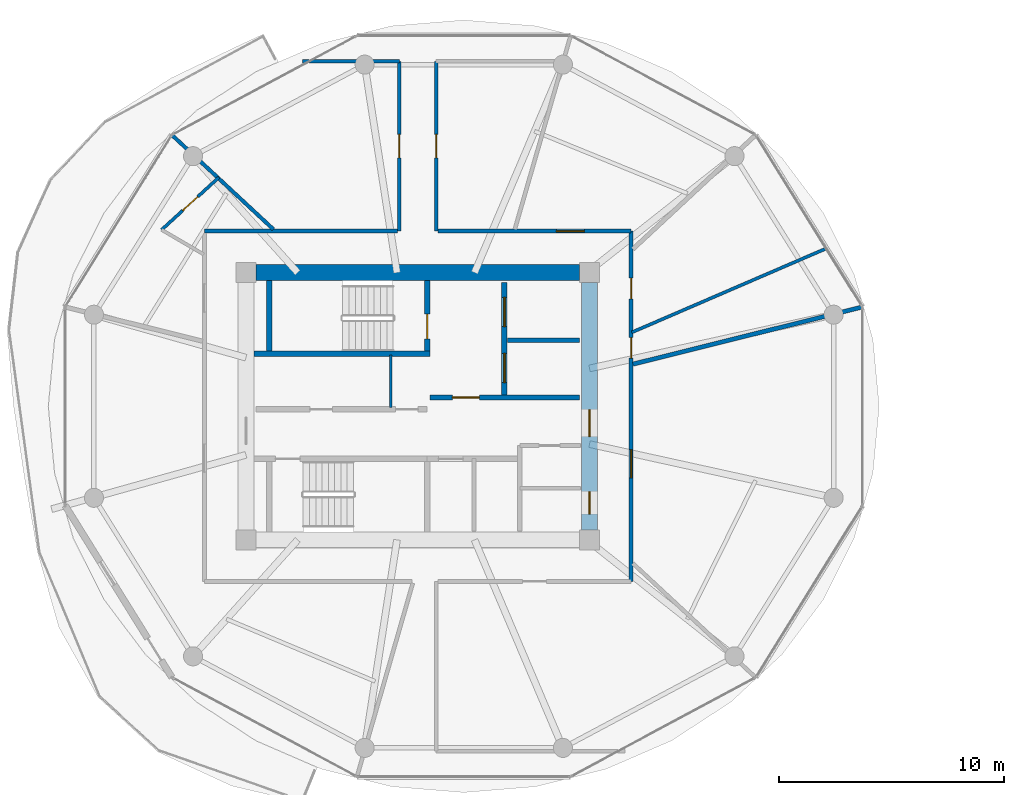
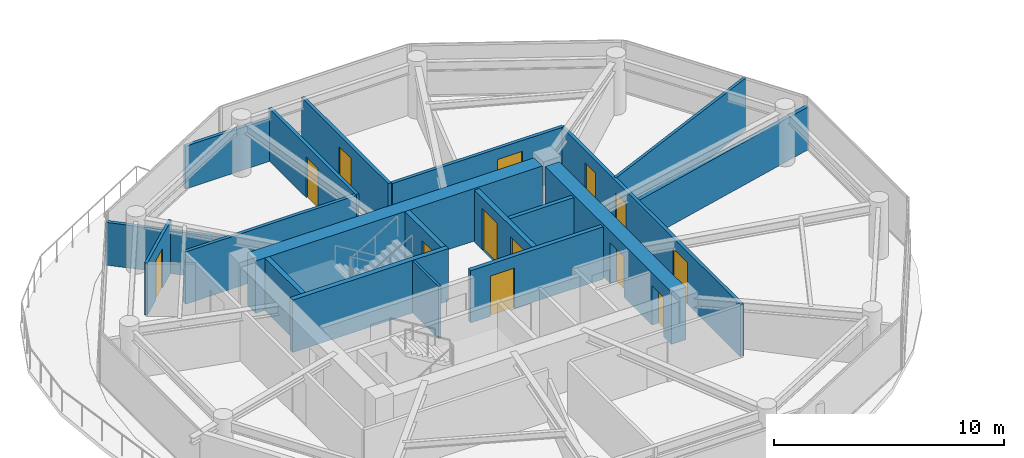
# One storey, part 14 of 23: 19 walls, 13 doors, 13 openings.
"""IFC4 building model written with IfcOpenShell, lengths in metres."""

from ifc_helpers import new_model, si_unit, direction, frame, frame_2d, origin, place, context, subcontext, project, spatial, rectangle, extrude, source, transform, mapped, material, layer, layer_set, type_object, type_shapes, element, fill, save


model = new_model("IFC4")

# Units and contexts
model_context = context("Model", 3, precision=1e-05, world=origin(), true_north=direction((0.0, 1.0)))
body_context = subcontext(model_context, "Body", "Model", "MODEL_VIEW")
ifc_project = project(units=[si_unit("LENGTHUNIT", "METRE"), si_unit("AREAUNIT", "SQUARE_METRE"), si_unit("VOLUMEUNIT", "CUBIC_METRE"), si_unit("PLANEANGLEUNIT", "RADIAN"), si_unit("MASSUNIT", "GRAM", prefix="KILO")], contexts=[model_context])

# Site, building, storey
site_placement = place(None, origin())
site = spatial("IfcSite", under=ifc_project, at=site_placement, CompositionType="ELEMENT")
building_placement = place(site_placement, origin())
building = spatial("IfcBuilding", under=site, at=building_placement, Name="Norrkilde Senior Care Towers", CompositionType="ELEMENT")
storey_placement = place(building_placement, frame((0.0, 0.0, 93.199951171875)))
storey = spatial("IfcBuildingStorey", under=building, at=storey_placement, Name="L28", CompositionType="ELEMENT", Elevation=93.199951171875)

# Wall
ifc_material_1 = material(Name="Concrete C60/75", Category="concrete")
ifc_layer_1 = layer(ifc_material_1, 0.719970703125)
ifc_layer_set_1 = layer_set([ifc_layer_1], Name="Concrete C60/75")
wall_type_1 = type_object("IfcWallType", Name="Core Shear Wall Z2 720", PredefinedType="SHEAR", material=ifc_layer_set_1)
shared_shape_1 = source(origin(), body_context, "Body", "SweptSolid", [
    extrude(rectangle(XDim=14.39990234375, YDim=0.719970703125, at=frame_2d((7.199951171875, 0.0))), origin(), (0.0, 0.0, 1.0), 2.7900390625),
])
wall_1_placement = place(storey_placement, frame((-35.199951171875, 5.949951171875, 0.0), z_axis=(0.0, 0.0, 1.0), x_axis=(1.0, 0.0, 0.0)))
element("IfcWall", 1, at=wall_1_placement, inside=storey, type_object=wall_type_1, Name="L28 Core W North Shear Wall", PredefinedType="SHEAR", context=body_context, shape_type="MappedRepresentation", body=[
    mapped(shared_shape_1, transform((0.0, 0.0, 0.0), x_axis=(1.0, 0.0, 0.0), y_axis=(0.0, 1.0, 0.0), z_axis=(0.0, 0.0, 1.0), scale=1.0)),
])

# Wall, openings, doors
shared_shape_2 = source(origin(), body_context, "Body", "SweptSolid", [
    extrude(rectangle(XDim=11.0, YDim=0.719970703125, at=frame_2d((5.5, 0.0))), origin(), (0.0, 0.0, 1.0), 2.7900390625),
])
type_shapes(wall_type_1, [shared_shape_1, shared_shape_2])
wall_2_placement = place(storey_placement, frame((-20.35009765625, 5.5, 0.0), z_axis=(0.0, 0.0, 1.0), x_axis=(0.0, -1.0, 0.0)))
wall_2 = element("IfcWall", 2, at=wall_2_placement, inside=storey, type_object=wall_type_1, Name="L28 Core W East Shear Wall", PredefinedType="SHEAR", context=body_context, shape_type="MappedRepresentation", body=[
    mapped(shared_shape_2, transform((0.0, 0.0, 0.0), x_axis=(1.0, 0.0, 0.0), y_axis=(0.0, 1.0, 0.0), z_axis=(0.0, 0.0, 1.0), scale=1.0)),
])
opening_1_placement = place(wall_2_placement, frame((5.64990234375, 0.0, 0.0)))
opening_1 = element("IfcOpeningElement", 3, at=opening_1_placement, cuts=wall_2, Name="Opening D-04", PredefinedType="OPENING", context=body_context, shape_type="SweptSolid", body=[
    extrude(rectangle(XDim=1.199951171875, YDim=2.14990234375, at=frame_2d((0.60009765625, 1.074951171875))), frame((0.0, 0.369873046875, 0.0), z_axis=(0.0, -1.0, 0.0), x_axis=(1.0, 0.0, 0.0)), (0.0, 0.0, 1.0), 0.739990234375),
])
opening_2_placement = place(wall_2_placement, frame((9.300048828125, 0.0, 0.0)))
opening_2 = element("IfcOpeningElement", 4, at=opening_2_placement, cuts=wall_2, Name="Opening D-10", PredefinedType="OPENING", context=body_context, shape_type="SweptSolid", body=[
    extrude(rectangle(XDim=1.0, YDim=2.10009765625, at=frame_2d((0.5, 1.050048828125))), frame((0.0, 0.369873046875, 0.0), z_axis=(0.0, -1.0, 0.0), x_axis=(1.0, 0.0, 0.0)), (0.0, 0.0, 1.0), 0.739990234375),
])
ifc_material_2 = material(Name="Galvanised Painted Steel", Category="steel")
door_type_1 = type_object("IfcDoorType", Name="Firefighting Lobby Fire Door 1200x2150", OperationType="NOTDEFINED", PredefinedType="DOOR", material=ifc_material_2)
shared_shape_3 = source(origin(), body_context, "Body", "SweptSolid", [
    extrude(rectangle(XDim=1.199951171875, YDim=2.14990234375, at=frame_2d((0.60009765625, 1.074951171875))), frame((0.0, 0.02490234375, 0.0), z_axis=(0.0, -1.0, 0.0), x_axis=(1.0, 0.0, 0.0)), (0.0, 0.0, 1.0), 0.050048828125),
])
type_shapes(door_type_1, [shared_shape_3])
door_1_placement = place(opening_1_placement, frame((1.199951171875, 0.0, 0.0), z_axis=(0.0, 0.0, 1.0), x_axis=(-1.0, 0.0, 0.0)))
door_1 = element("IfcDoor", 5, at=door_1_placement, inside=storey, type_object=door_type_1, Name="L28 Core W East Portal Door", OperationType="SINGLE_SWING_RIGHT", OverallHeight=2.14990234375, OverallWidth=1.199951171875, PredefinedType="DOOR", context=body_context, shape_type="MappedRepresentation", body=[
    mapped(shared_shape_3, transform((0.0, 0.0, 0.0), x_axis=(1.0, 0.0, 0.0), y_axis=(0.0, 1.0, 0.0), z_axis=(0.0, 0.0, 1.0), scale=1.0)),
])
fill(opening_1, door_1)
door_type_2 = type_object("IfcDoorType", Name="Plant and Riser Rated Door 1000x2100", OperationType="NOTDEFINED", PredefinedType="DOOR", material=ifc_material_2)
shared_shape_4 = source(origin(), body_context, "Body", "SweptSolid", [
    extrude(rectangle(XDim=1.0, YDim=2.10009765625, at=frame_2d((0.5, 1.050048828125))), frame((0.0, 0.02490234375, 0.0), z_axis=(0.0, -1.0, 0.0), x_axis=(1.0, 0.0, 0.0)), (0.0, 0.0, 1.0), 0.050048828125),
])
type_shapes(door_type_2, [shared_shape_4])
door_2_placement = place(opening_2_placement, frame((1.0, 0.0, 0.0), z_axis=(0.0, 0.0, 1.0), x_axis=(-1.0, 0.0, 0.0)))
door_2 = element("IfcDoor", 6, at=door_2_placement, inside=storey, type_object=door_type_2, Name="L28 Ventilation Riser W Door", OperationType="SINGLE_SWING_RIGHT", OverallHeight=2.10009765625, OverallWidth=1.0, PredefinedType="DOOR", context=body_context, shape_type="MappedRepresentation", body=[
    mapped(shared_shape_4, transform((0.0, 0.0, 0.0), x_axis=(1.0, 0.0, 0.0), y_axis=(0.0, 1.0, 0.0), z_axis=(0.0, 0.0, 1.0), scale=1.0)),
])
fill(opening_2, door_2)

ifc_material_3 = material(Name="Concrete C45/55", Category="concrete")
ifc_layer_2 = layer(ifc_material_3, 0.239990234375)
ifc_layer_set_2 = layer_set([ifc_layer_2], Name="Concrete C45/55")
wall_type_2 = type_object("IfcWallType", Name="Lift and Plant Rated Enclosure Partition 240", PredefinedType="PARTITIONING", material=ifc_layer_set_2)
shared_shape_5 = source(origin(), body_context, "Body", "SweptSolid", [
    extrude(rectangle(XDim=5.0, YDim=0.239990234375, at=frame_2d((2.5, 0.0))), origin(), (0.0, 0.0, 1.0), 2.775146484375),
])
type_shapes(wall_type_2, [shared_shape_5])
wall_3_placement = place(storey_placement, frame((-24.139892578125, 0.5, 0.0), z_axis=(0.0, 0.0, 1.0), x_axis=(0.0, 1.0, 0.0)))
wall_3 = element("IfcWall", 7, at=wall_3_placement, inside=storey, type_object=wall_type_2, Name="WL-INT-L28-W-FFLE", PredefinedType="PARTITIONING", context=body_context, shape_type="MappedRepresentation", body=[
    mapped(shared_shape_5, transform((0.0, 0.0, 0.0), x_axis=(1.0, 0.0, 0.0), y_axis=(0.0, 1.0, 0.0), z_axis=(0.0, 0.0, 1.0), scale=1.0)),
])
opening_3_placement = place(wall_3_placement, frame((3.050048828125, 0.0, 0.0)))
opening_3 = element("IfcOpeningElement", 8, at=opening_3_placement, cuts=wall_3, Name="Opening LD-02", PredefinedType="OPENING", context=body_context, shape_type="SweptSolid", body=[
    extrude(rectangle(XDim=1.300048828125, YDim=2.199951171875, at=frame_2d((0.64990234375, 1.10009765625))), frame((0.0, 0.1298828125, 0.0), z_axis=(0.0, -1.0, 0.0), x_axis=(1.0, 0.0, 0.0)), (0.0, 0.0, 1.0), 0.260009765625),
])
opening_4_placement = place(wall_3_placement, frame((0.550048828125, 0.0, 0.0)))
opening_4 = element("IfcOpeningElement", 9, at=opening_4_placement, cuts=wall_3, Name="Opening LD-02", PredefinedType="OPENING", context=body_context, shape_type="SweptSolid", body=[
    extrude(rectangle(XDim=1.300048828125, YDim=2.199951171875, at=frame_2d((0.64990234375, 1.10009765625))), frame((0.0, 0.1298828125, 0.0), z_axis=(0.0, -1.0, 0.0), x_axis=(1.0, 0.0, 0.0)), (0.0, 0.0, 1.0), 0.260009765625),
])
ifc_material_4 = material(Name="Stainless Steel", Category="steel")
door_type_3 = type_object("IfcDoorType", Name="Stretcher and FFL Landing Sliding Door 1300x2200", OperationType="NOTDEFINED", PredefinedType="DOOR", material=ifc_material_4)
shared_shape_6 = source(origin(), body_context, "Body", "SweptSolid", [
    extrude(rectangle(XDim=1.300048828125, YDim=2.199951171875, at=frame_2d((0.64990234375, 1.10009765625))), frame((0.0, 0.02490234375, 0.0), z_axis=(0.0, -1.0, 0.0), x_axis=(1.0, 0.0, 0.0)), (0.0, 0.0, 1.0), 0.050048828125),
])
type_shapes(door_type_3, [shared_shape_6])
door_3_placement = place(opening_3_placement, origin())
door_3 = element("IfcDoor", 10, at=door_3_placement, inside=storey, type_object=door_type_3, Name="L28 Firefighting Lift W1 Landing Door", OperationType="SLIDING_TO_LEFT", OverallHeight=2.199951171875, OverallWidth=1.300048828125, PredefinedType="DOOR", context=body_context, shape_type="MappedRepresentation", body=[
    mapped(shared_shape_6, transform((0.0, 0.0, 0.0), x_axis=(1.0, 0.0, 0.0), y_axis=(0.0, 1.0, 0.0), z_axis=(0.0, 0.0, 1.0), scale=1.0)),
])
fill(opening_3, door_3)
door_4_placement = place(opening_4_placement, origin())
door_4 = element("IfcDoor", 11, at=door_4_placement, inside=storey, type_object=door_type_3, Name="L28 Stretcher Lift W1 Landing Door", OperationType="SLIDING_TO_RIGHT", OverallHeight=2.199951171875, OverallWidth=1.300048828125, PredefinedType="DOOR", context=body_context, shape_type="MappedRepresentation", body=[
    mapped(shared_shape_6, transform((0.0, 0.0, 0.0), x_axis=(1.0, 0.0, 0.0), y_axis=(0.0, 1.0, 0.0), z_axis=(0.0, 0.0, 1.0), scale=1.0)),
])
fill(opening_4, door_4)

# Wall
ifc_layer_3 = layer(ifc_material_3, 0.199951171875)
ifc_layer_set_3 = layer_set([ifc_layer_3], Name="Concrete C45/55")
wall_type_3 = type_object("IfcWallType", Name="Shaft Division and Plant Partition 200", PredefinedType="PARTITIONING", material=ifc_layer_set_3)
shared_shape_7 = source(origin(), body_context, "Body", "SweptSolid", [
    extrude(rectangle(XDim=3.199951171875, YDim=0.199951171875, at=frame_2d((1.60009765625, 0.0))), origin(), (0.0, 0.0, 1.0), 2.775146484375),
])
type_shapes(wall_type_3, [shared_shape_7])
wall_4_placement = place(storey_placement, frame((-24.0, 2.949951171875, 0.0), z_axis=(0.0, 0.0, 1.0), x_axis=(1.0, 0.0, 0.0)))
element("IfcWall", 12, at=wall_4_placement, inside=storey, type_object=wall_type_3, Name="WL-INT-L28-W-FFLDIV", PredefinedType="PARTITIONING", context=body_context, shape_type="MappedRepresentation", body=[
    mapped(shared_shape_7, transform((0.0, 0.0, 0.0), x_axis=(1.0, 0.0, 0.0), y_axis=(0.0, 1.0, 0.0), z_axis=(0.0, 0.0, 1.0), scale=1.0)),
])

# Wall, opening, door
ifc_layer_4 = layer(ifc_material_3, 0.2099609375)
ifc_layer_set_4 = layer_set([ifc_layer_4], Name="Concrete C45/55")
wall_type_4 = type_object("IfcWallType", Name="Firefighting Lobby Wall 210", PredefinedType="PARTITIONING", material=ifc_layer_set_4)
shared_shape_8 = source(origin(), body_context, "Body", "SweptSolid", [
    extrude(rectangle(XDim=6.659912109375, YDim=0.2099609375, at=frame_2d((3.330078125, 0.0))), origin(), (0.0, 0.0, 1.0), 2.775146484375),
])
type_shapes(wall_type_4, [shared_shape_8])
wall_5_placement = place(storey_placement, frame((-27.4599609375, 0.389892578125, 0.0), z_axis=(0.0, 0.0, 1.0), x_axis=(1.0, 0.0, 0.0)))
wall_5 = element("IfcWall", 13, at=wall_5_placement, inside=storey, type_object=wall_type_4, Name="WL-INT-L28-W-FFLS", PredefinedType="PARTITIONING", context=body_context, shape_type="MappedRepresentation", body=[
    mapped(shared_shape_8, transform((0.0, 0.0, 0.0), x_axis=(1.0, 0.0, 0.0), y_axis=(0.0, 1.0, 0.0), z_axis=(0.0, 0.0, 1.0), scale=1.0)),
])
opening_5_placement = place(wall_5_placement, frame((1.0, 0.0, 0.0)))
opening_5 = element("IfcOpeningElement", 14, at=opening_5_placement, cuts=wall_5, Name="Opening D-04", PredefinedType="OPENING", context=body_context, shape_type="SweptSolid", body=[
    extrude(rectangle(XDim=1.199951171875, YDim=2.14990234375, at=frame_2d((0.60009765625, 1.074951171875))), frame((0.0, 0.114990234375, 0.0), z_axis=(0.0, -1.0, 0.0), x_axis=(1.0, 0.0, 0.0)), (0.0, 0.0, 1.0), 0.22998046875),
])
door_5_placement = place(opening_5_placement, frame((1.199951171875, 0.0, 0.0), z_axis=(0.0, 0.0, 1.0), x_axis=(-1.0, 0.0, 0.0)))
door_5 = element("IfcDoor", 15, at=door_5_placement, inside=storey, type_object=door_type_1, Name="L28 Firefighting Lobby W Door", OperationType="SINGLE_SWING_LEFT", OverallHeight=2.14990234375, OverallWidth=1.199951171875, PredefinedType="DOOR", context=body_context, shape_type="MappedRepresentation", body=[
    mapped(shared_shape_3, transform((0.0, 0.0, 0.0), x_axis=(1.0, 0.0, 0.0), y_axis=(0.0, 1.0, 0.0), z_axis=(0.0, 0.0, 1.0), scale=1.0)),
])
fill(opening_5, door_5)

# Wall
ifc_material_5 = material(Name="Gypsum Acoustic Board")
ifc_layer_5 = layer(ifc_material_5, 0.114990234375)
ifc_layer_set_5 = layer_set([ifc_layer_5], Name="Gypsum Acoustic Board")
wall_type_5 = type_object("IfcWallType", Name="Internal Room Partition 115", PredefinedType="PARTITIONING", material=ifc_layer_set_5)
shared_shape_9 = source(origin(), body_context, "Body", "SweptSolid", [
    extrude(rectangle(XDim=2.330078125, YDim=0.114990234375, at=frame_2d((1.1650390625, 0.0))), origin(), (0.0, 0.0, 1.0), 2.775146484375),
])
type_shapes(wall_type_5, [shared_shape_9])
wall_6_placement = place(storey_placement, frame((-29.2099609375, -0.050048828125, 0.0), z_axis=(0.0, 0.0, 1.0), x_axis=(0.0, 1.0, 0.0)))
element("IfcWall", 16, at=wall_6_placement, inside=storey, type_object=wall_type_5, Name="WL-INT-L28-W-RISW", PredefinedType="PARTITIONING", context=body_context, shape_type="MappedRepresentation", body=[
    mapped(shared_shape_9, transform((0.0, 0.0, 0.0), x_axis=(1.0, 0.0, 0.0), y_axis=(0.0, 1.0, 0.0), z_axis=(0.0, 0.0, 1.0), scale=1.0)),
])

# Wall, openings, doors
ifc_layer_6 = layer(ifc_material_5, 0.1650390625)
ifc_layer_set_6 = layer_set([ifc_layer_6], Name="Gypsum Acoustic Board")
wall_type_6 = type_object("IfcWallType", Name="Corridor Rated Partition 165", PredefinedType="PARTITIONING", material=ifc_layer_set_6)
shared_shape_10 = source(origin(), body_context, "Body", "SweptSolid", [
    extrude(rectangle(XDim=15.60009765625, YDim=0.1650390625, at=frame_2d((7.800048828125, 0.0))), origin(), (0.0, 0.0, 1.0), 2.775146484375),
])
wall_7_placement = place(storey_placement, frame((-18.5, 7.800048828125, 0.0), z_axis=(0.0, 0.0, 1.0), x_axis=(0.0, -1.0, 0.0)))
wall_7 = element("IfcWall", 17, at=wall_7_placement, inside=storey, type_object=wall_type_6, Name="WL-INT-L28-W-CRW-E-0", PredefinedType="PARTITIONING", context=body_context, shape_type="MappedRepresentation", body=[
    mapped(shared_shape_10, transform((0.0, 0.0, 0.0), x_axis=(1.0, 0.0, 0.0), y_axis=(0.0, 1.0, 0.0), z_axis=(0.0, 0.0, 1.0), scale=1.0)),
])
opening_6_placement = place(wall_7_placement, frame((9.734375, 0.0, 0.0)))
opening_6 = element("IfcOpeningElement", 18, at=opening_6_placement, cuts=wall_7, Name="Opening D-05", PredefinedType="OPENING", context=body_context, shape_type="SweptSolid", body=[
    extrude(rectangle(XDim=1.25, YDim=2.199951171875, at=frame_2d((0.625, 1.10009765625))), frame((0.0, 0.092529296875, 0.0), z_axis=(0.0, -1.0, 0.0), x_axis=(1.0, 0.0, 0.0)), (0.0, 0.0, 1.0), 0.18505859375),
])
opening_7_placement = place(wall_7_placement, frame((4.739013671875, 0.0, 0.0)))
opening_7 = element("IfcOpeningElement", 19, at=opening_7_placement, cuts=wall_7, Name="Opening D-08", PredefinedType="OPENING", context=body_context, shape_type="SweptSolid", body=[
    extrude(rectangle(XDim=0.919921875, YDim=2.10009765625, at=frame_2d((0.4599609375, 1.050048828125))), frame((0.0, 0.092529296875, 0.0), z_axis=(0.0, -1.0, 0.0), x_axis=(1.0, 0.0, 0.0)), (0.0, 0.0, 1.0), 0.18505859375),
])
opening_8_placement = place(wall_7_placement, frame((2.096435546875, 0.0, 0.0)))
opening_8 = element("IfcOpeningElement", 20, at=opening_8_placement, cuts=wall_7, Name="Opening D-08", PredefinedType="OPENING", context=body_context, shape_type="SweptSolid", body=[
    extrude(rectangle(XDim=0.919921875, YDim=2.10009765625, at=frame_2d((0.4599609375, 1.050048828125))), frame((0.0, 0.092529296875, 0.0), z_axis=(0.0, -1.0, 0.0), x_axis=(1.0, 0.0, 0.0)), (0.0, 0.0, 1.0), 0.18505859375),
])
ifc_material_6 = material(Name="Nordic Ash Timber", Category="wood")
door_type_4 = type_object("IfcDoorType", Name="Care Bedroom Bariatric Door 1250x2200", OperationType="NOTDEFINED", PredefinedType="DOOR", material=ifc_material_6)
shared_shape_11 = source(origin(), body_context, "Body", "SweptSolid", [
    extrude(rectangle(XDim=1.25, YDim=2.199951171875, at=frame_2d((0.625, 1.10009765625))), frame((0.0, 0.02490234375, 0.0), z_axis=(0.0, -1.0, 0.0), x_axis=(1.0, 0.0, 0.0)), (0.0, 0.0, 1.0), 0.050048828125),
])
type_shapes(door_type_4, [shared_shape_11])
door_6_placement = place(opening_6_placement, frame((1.25, 0.0, 0.0), z_axis=(0.0, 0.0, 1.0), x_axis=(-1.0, 0.0, 0.0)))
door_6 = element("IfcDoor", 21, at=door_6_placement, inside=storey, type_object=door_type_4, Name="L28 Geriatric Rehabilitation Clinic Door", OperationType="SINGLE_SWING_LEFT", OverallHeight=2.199951171875, OverallWidth=1.25, PredefinedType="DOOR", context=body_context, shape_type="MappedRepresentation", body=[
    mapped(shared_shape_11, transform((0.0, 0.0, 0.0), x_axis=(1.0, 0.0, 0.0), y_axis=(0.0, 1.0, 0.0), z_axis=(0.0, 0.0, 1.0), scale=1.0)),
])
fill(opening_6, door_6)
door_type_5 = type_object("IfcDoorType", Name="Accessible Wet Room Door 920x2100", OperationType="NOTDEFINED", PredefinedType="DOOR", material=ifc_material_6)
shared_shape_12 = source(origin(), body_context, "Body", "SweptSolid", [
    extrude(rectangle(XDim=0.919921875, YDim=2.10009765625, at=frame_2d((0.4599609375, 1.050048828125))), frame((0.0, 0.02490234375, 0.0), z_axis=(0.0, -1.0, 0.0), x_axis=(1.0, 0.0, 0.0)), (0.0, 0.0, 1.0), 0.050048828125),
])
type_shapes(door_type_5, [shared_shape_12])
door_7_placement = place(opening_7_placement, frame((0.919921875, 0.0, 0.0), z_axis=(0.0, 0.0, 1.0), x_axis=(-1.0, 0.0, 0.0)))
door_7 = element("IfcDoor", 22, at=door_7_placement, inside=storey, type_object=door_type_5, Name="L28 Accessible Restroom Door", OperationType="SINGLE_SWING_LEFT", OverallHeight=2.10009765625, OverallWidth=0.919921875, PredefinedType="DOOR", context=body_context, shape_type="MappedRepresentation", body=[
    mapped(shared_shape_12, transform((0.0, 0.0, 0.0), x_axis=(1.0, 0.0, 0.0), y_axis=(0.0, 1.0, 0.0), z_axis=(0.0, 0.0, 1.0), scale=1.0)),
])
fill(opening_7, door_7)
door_8_placement = place(opening_8_placement, frame((0.919921875, 0.0, 0.0), z_axis=(0.0, 0.0, 1.0), x_axis=(-1.0, 0.0, 0.0)))
door_8 = element("IfcDoor", 23, at=door_8_placement, inside=storey, type_object=door_type_5, Name="L28 Public Restroom Door", OperationType="SINGLE_SWING_RIGHT", OverallHeight=2.10009765625, OverallWidth=0.919921875, PredefinedType="DOOR", context=body_context, shape_type="MappedRepresentation", body=[
    mapped(shared_shape_12, transform((0.0, 0.0, 0.0), x_axis=(1.0, 0.0, 0.0), y_axis=(0.0, 1.0, 0.0), z_axis=(0.0, 0.0, 1.0), scale=1.0)),
])
fill(opening_8, door_8)

# Walls
ifc_layer_7 = layer(ifc_material_3, 0.239990234375)
ifc_layer_set_7 = layer_set([ifc_layer_7], Name="Concrete C45/55")
wall_type_7 = type_object("IfcWallType", Name="Shaft and Stair Enclosure Wall 240", PredefinedType="PARTITIONING", material=ifc_layer_set_7)
shared_shape_13 = source(origin(), body_context, "Body", "SweptSolid", [
    extrude(rectangle(XDim=7.830078125, YDim=0.239990234375, at=frame_2d((3.9150390625, 0.0))), origin(), (0.0, 0.0, 1.0), 2.7900390625),
])
wall_8_placement = place(storey_placement, frame((-35.2900390625, 2.330078125, 0.0), z_axis=(0.0, 0.0, 1.0), x_axis=(1.0, 0.0, 0.0)))
element("IfcWall", 24, at=wall_8_placement, inside=storey, type_object=wall_type_7, Name="WL-INT-L28-W-ST1S", PredefinedType="PARTITIONING", context=body_context, shape_type="MappedRepresentation", body=[
    mapped(shared_shape_13, transform((0.0, 0.0, 0.0), x_axis=(1.0, 0.0, 0.0), y_axis=(0.0, 1.0, 0.0), z_axis=(0.0, 0.0, 1.0), scale=1.0)),
])
shared_shape_14 = source(origin(), body_context, "Body", "SweptSolid", [
    extrude(rectangle(XDim=3.14013671875, YDim=0.239990234375, at=frame_2d((1.570068359375, 0.0))), origin(), (0.0, 0.0, 1.0), 2.7900390625),
])
type_shapes(wall_type_7, [shared_shape_13, shared_shape_14])
wall_9_placement = place(storey_placement, frame((-34.6201171875, 2.449951171875, 0.0), z_axis=(0.0, 0.0, 1.0), x_axis=(0.0, 1.0, 0.0)))
element("IfcWall", 25, at=wall_9_placement, inside=storey, type_object=wall_type_7, Name="WL-INT-L28-W-ST1W", PredefinedType="PARTITIONING", context=body_context, shape_type="MappedRepresentation", body=[
    mapped(shared_shape_14, transform((0.0, 0.0, 0.0), x_axis=(1.0, 0.0, 0.0), y_axis=(0.0, 1.0, 0.0), z_axis=(0.0, 0.0, 1.0), scale=1.0)),
])

# Wall, opening, door
wall_10_placement = place(storey_placement, frame((-27.580078125, 2.449951171875, 0.0), z_axis=(0.0, 0.0, 1.0), x_axis=(0.0, 1.0, 0.0)))
wall_10 = element("IfcWall", 26, at=wall_10_placement, inside=storey, type_object=wall_type_7, Name="WL-INT-L28-W-ST1E", PredefinedType="PARTITIONING", context=body_context, shape_type="MappedRepresentation", body=[
    mapped(shared_shape_14, transform((0.0, 0.0, 0.0), x_axis=(1.0, 0.0, 0.0), y_axis=(0.0, 1.0, 0.0), z_axis=(0.0, 0.0, 1.0), scale=1.0)),
])
opening_9_placement = place(wall_10_placement, frame((0.550048828125, 0.0, 0.0)))
opening_9 = element("IfcOpeningElement", 27, at=opening_9_placement, cuts=wall_10, Name="Opening D-03", PredefinedType="OPENING", context=body_context, shape_type="SweptSolid", body=[
    extrude(rectangle(XDim=1.10009765625, YDim=2.14990234375, at=frame_2d((0.550048828125, 1.074951171875))), frame((0.0, 0.1298828125, 0.0), z_axis=(0.0, -1.0, 0.0), x_axis=(1.0, 0.0, 0.0)), (0.0, 0.0, 1.0), 0.260009765625),
])
door_type_6 = type_object("IfcDoorType", Name="Stairwell Protected Fire Door 1100x2150", OperationType="NOTDEFINED", PredefinedType="DOOR", material=ifc_material_2)
shared_shape_15 = source(origin(), body_context, "Body", "SweptSolid", [
    extrude(rectangle(XDim=1.10009765625, YDim=2.14990234375, at=frame_2d((0.550048828125, 1.074951171875))), frame((0.0, 0.02490234375, 0.0), z_axis=(0.0, -1.0, 0.0), x_axis=(1.0, 0.0, 0.0)), (0.0, 0.0, 1.0), 0.050048828125),
])
type_shapes(door_type_6, [shared_shape_15])
door_9_placement = place(opening_9_placement, origin())
door_9 = element("IfcDoor", 28, at=door_9_placement, inside=storey, type_object=door_type_6, Name="L28 Stair W1 Fire Door", OperationType="SINGLE_SWING_LEFT", OverallHeight=2.14990234375, OverallWidth=1.10009765625, PredefinedType="DOOR", context=body_context, shape_type="MappedRepresentation", body=[
    mapped(shared_shape_15, transform((0.0, 0.0, 0.0), x_axis=(1.0, 0.0, 0.0), y_axis=(0.0, 1.0, 0.0), z_axis=(0.0, 0.0, 1.0), scale=1.0)),
])
fill(opening_9, door_9)

# Walls
ifc_layer_8 = layer(ifc_material_5, 0.18994140625)
ifc_layer_set_8 = layer_set([ifc_layer_8], Name="Gypsum Acoustic Board")
wall_type_8 = type_object("IfcWallType", Name="Unit Demising Acoustic Wall 190", PredefinedType="PARTITIONING", material=ifc_layer_set_8)
shared_shape_16 = source(origin(), body_context, "Body", "SweptSolid", [
    extrude(rectangle(XDim=10.5556640625, YDim=0.18994140625, at=frame_2d((5.27783203125, 0.0))), origin(), (0.0, 0.0, 1.0), 2.275146484375),
])
type_shapes(wall_type_8, [shared_shape_16])
wall_11_placement = place(storey_placement, frame((-18.419921875, 1.875, 0.0), z_axis=(0.0, 0.0, 1.0), x_axis=(0.970363857851, 0.241648470667, 0.0)))
element("IfcWall", 29, at=wall_11_placement, inside=storey, type_object=wall_type_8, Name="WL-INT-L28-W-DEM-00-0", PredefinedType="PARTITIONING", context=body_context, shape_type="MappedRepresentation", body=[
    mapped(shared_shape_16, transform((0.0, 0.0, 0.0), x_axis=(1.0, 0.0, 0.0), y_axis=(0.0, 1.0, 0.0), z_axis=(0.0, 0.0, 1.0), scale=1.0)),
])
shared_shape_17 = source(origin(), body_context, "Body", "SweptSolid", [
    extrude(rectangle(XDim=8.60009765625, YDim=0.1650390625, at=frame_2d((4.300048828125, 0.0))), origin(), (0.0, 0.0, 1.0), 2.775146484375),
])
wall_12_placement = place(storey_placement, frame((-37.5, 7.800048828125, 0.0), z_axis=(0.0, 0.0, 1.0), x_axis=(1.0, 0.0, 0.0)))
element("IfcWall", 30, at=wall_12_placement, inside=storey, type_object=wall_type_6, Name="WL-INT-L28-W-CRW-N-0", PredefinedType="PARTITIONING", context=body_context, shape_type="MappedRepresentation", body=[
    mapped(shared_shape_17, transform((0.0, 0.0, 0.0), x_axis=(1.0, 0.0, 0.0), y_axis=(0.0, 1.0, 0.0), z_axis=(0.0, 0.0, 1.0), scale=1.0)),
])

# Wall, opening, door
wall_13_placement = place(storey_placement, frame((-27.10009765625, 7.800048828125, 0.0), z_axis=(0.0, 0.0, 1.0), x_axis=(1.0, 0.0, 0.0)))
wall_13 = element("IfcWall", 31, at=wall_13_placement, inside=storey, type_object=wall_type_6, Name="WL-INT-L28-W-CRW-N-1", PredefinedType="PARTITIONING", context=body_context, shape_type="MappedRepresentation", body=[
    mapped(shared_shape_17, transform((0.0, 0.0, 0.0), x_axis=(1.0, 0.0, 0.0), y_axis=(0.0, 1.0, 0.0), z_axis=(0.0, 0.0, 1.0), scale=1.0)),
])
opening_10_placement = place(wall_13_placement, frame((5.27490234375, 0.0, 0.0)))
opening_10 = element("IfcOpeningElement", 32, at=opening_10_placement, cuts=wall_13, Name="Opening D-05", PredefinedType="OPENING", context=body_context, shape_type="SweptSolid", body=[
    extrude(rectangle(XDim=1.25, YDim=2.199951171875, at=frame_2d((0.625, 1.10009765625))), frame((0.0, 0.092529296875, 0.0), z_axis=(0.0, -1.0, 0.0), x_axis=(1.0, 0.0, 0.0)), (0.0, 0.0, 1.0), 0.18505859375),
])
door_10_placement = place(opening_10_placement, frame((1.25, 0.0, 0.0), z_axis=(0.0, 0.0, 1.0), x_axis=(-1.0, 0.0, 0.0)))
door_10 = element("IfcDoor", 33, at=door_10_placement, inside=storey, type_object=door_type_4, Name="L28 Care Coordination Charting Office Door", OperationType="SINGLE_SWING_RIGHT", OverallHeight=2.199951171875, OverallWidth=1.25, PredefinedType="DOOR", context=body_context, shape_type="MappedRepresentation", body=[
    mapped(shared_shape_11, transform((0.0, 0.0, 0.0), x_axis=(1.0, 0.0, 0.0), y_axis=(0.0, 1.0, 0.0), z_axis=(0.0, 0.0, 1.0), scale=1.0)),
])
fill(opening_10, door_10)

# Wall
shared_shape_18 = source(origin(), body_context, "Body", "SweptSolid", [
    extrude(rectangle(XDim=6.186767578125, YDim=0.1650390625, at=frame_2d((3.09326171875, 0.0))), origin(), (0.0, 0.0, 1.0), 2.275146484375),
])
wall_14_placement = place(storey_placement, frame((-34.428955078125, 7.8798828125, 0.0), z_axis=(0.0, 0.0, 1.0), x_axis=(-0.732501077882, 0.680765870841, 0.0)))
element("IfcWall", 34, at=wall_14_placement, inside=storey, type_object=wall_type_6, Name="WL-INT-L28-W-DEM-04-0", PredefinedType="PARTITIONING", context=body_context, shape_type="MappedRepresentation", body=[
    mapped(shared_shape_18, transform((0.0, 0.0, 0.0), x_axis=(1.0, 0.0, 0.0), y_axis=(0.0, 1.0, 0.0), z_axis=(0.0, 0.0, 1.0), scale=1.0)),
])

# Wall, opening, door
shared_shape_19 = source(origin(), body_context, "Body", "SweptSolid", [
    extrude(rectangle(XDim=7.56005859375, YDim=0.1650390625, at=frame_2d((3.780029296875, 0.0))), origin(), (0.0, 0.0, 1.0), 2.775146484375),
])
wall_15_placement = place(storey_placement, frame((-28.820068359375, 7.800048828125, 0.0), z_axis=(0.0, 0.0, 1.0), x_axis=(0.0, 1.0, 0.0)))
wall_15 = element("IfcWall", 35, at=wall_15_placement, inside=storey, type_object=wall_type_6, Name="WL-INT-L28-W-PKW-NWL", PredefinedType="PARTITIONING", context=body_context, shape_type="MappedRepresentation", body=[
    mapped(shared_shape_19, transform((0.0, 0.0, 0.0), x_axis=(1.0, 0.0, 0.0), y_axis=(0.0, 1.0, 0.0), z_axis=(0.0, 0.0, 1.0), scale=1.0)),
])
opening_11_placement = place(wall_15_placement, frame((3.2548828125, 0.0, 0.0)))
opening_11 = element("IfcOpeningElement", 36, at=opening_11_placement, cuts=wall_15, Name="Opening D-06", PredefinedType="OPENING", context=body_context, shape_type="SweptSolid", body=[
    extrude(rectangle(XDim=1.050048828125, YDim=2.14990234375, at=frame_2d((0.52490234375, 1.074951171875))), frame((0.0, 0.092529296875, 0.0), z_axis=(0.0, -1.0, 0.0), x_axis=(1.0, 0.0, 0.0)), (0.0, 0.0, 1.0), 0.18505859375),
])
door_type_7 = type_object("IfcDoorType", Name="Apartment Entrance Fire Door 1050x2150", OperationType="NOTDEFINED", PredefinedType="DOOR", material=ifc_material_6)
shared_shape_20 = source(origin(), body_context, "Body", "SweptSolid", [
    extrude(rectangle(XDim=1.050048828125, YDim=2.14990234375, at=frame_2d((0.52490234375, 1.074951171875))), frame((0.0, 0.02490234375, 0.0), z_axis=(0.0, -1.0, 0.0), x_axis=(1.0, 0.0, 0.0)), (0.0, 0.0, 1.0), 0.050048828125),
])
type_shapes(door_type_7, [shared_shape_20])
door_11_placement = place(opening_11_placement, frame((1.050048828125, 0.0, 0.0), z_axis=(0.0, 0.0, 1.0), x_axis=(-1.0, 0.0, 0.0)))
door_11 = element("IfcDoor", 37, at=door_11_placement, inside=storey, type_object=door_type_7, Name="L28 Reading Lounge NWL Door", OperationType="SINGLE_SWING_RIGHT", OverallHeight=2.14990234375, OverallWidth=1.050048828125, PredefinedType="DOOR", context=body_context, shape_type="MappedRepresentation", body=[
    mapped(shared_shape_20, transform((0.0, 0.0, 0.0), x_axis=(1.0, 0.0, 0.0), y_axis=(0.0, 1.0, 0.0), z_axis=(0.0, 0.0, 1.0), scale=1.0)),
])
fill(opening_11, door_11)

wall_16_placement = place(storey_placement, frame((-27.179931640625, 7.800048828125, 0.0), z_axis=(0.0, 0.0, 1.0), x_axis=(0.0, 1.0, 0.0)))
wall_16 = element("IfcWall", 38, at=wall_16_placement, inside=storey, type_object=wall_type_6, Name="WL-INT-L28-W-PKW-NEL", PredefinedType="PARTITIONING", context=body_context, shape_type="MappedRepresentation", body=[
    mapped(shared_shape_19, transform((0.0, 0.0, 0.0), x_axis=(1.0, 0.0, 0.0), y_axis=(0.0, 1.0, 0.0), z_axis=(0.0, 0.0, 1.0), scale=1.0)),
])
opening_12_placement = place(wall_16_placement, frame((3.2548828125, 0.0, 0.0)))
opening_12 = element("IfcOpeningElement", 39, at=opening_12_placement, cuts=wall_16, Name="Opening D-06", PredefinedType="OPENING", context=body_context, shape_type="SweptSolid", body=[
    extrude(rectangle(XDim=1.050048828125, YDim=2.14990234375, at=frame_2d((0.52490234375, 1.074951171875))), frame((0.0, 0.092529296875, 0.0), z_axis=(0.0, -1.0, 0.0), x_axis=(1.0, 0.0, 0.0)), (0.0, 0.0, 1.0), 0.18505859375),
])
door_12_placement = place(opening_12_placement, frame((1.050048828125, 0.0, 0.0), z_axis=(0.0, 0.0, 1.0), x_axis=(-1.0, 0.0, 0.0)))
door_12 = element("IfcDoor", 40, at=door_12_placement, inside=storey, type_object=door_type_7, Name="L28 Reading Lounge NEL Door", OperationType="SINGLE_SWING_RIGHT", OverallHeight=2.14990234375, OverallWidth=1.050048828125, PredefinedType="DOOR", context=body_context, shape_type="MappedRepresentation", body=[
    mapped(shared_shape_20, transform((0.0, 0.0, 0.0), x_axis=(1.0, 0.0, 0.0), y_axis=(0.0, 1.0, 0.0), z_axis=(0.0, 0.0, 1.0), scale=1.0)),
])
fill(opening_12, door_12)

# Wall
shared_shape_21 = source(origin(), body_context, "Body", "SweptSolid", [
    extrude(rectangle(XDim=4.306884765625, YDim=0.1650390625, at=frame_2d((2.1533203125, 0.0))), origin(), (0.0, 0.0, 1.0), 2.275146484375),
])
type_shapes(wall_type_6, [shared_shape_10, shared_shape_17, shared_shape_18, shared_shape_19, shared_shape_21])
wall_17_placement = place(storey_placement, frame((-33.126953125, 15.360107421875, 0.0), z_axis=(0.0, 0.0, 1.0), x_axis=(1.0, 0.0, 0.0)))
element("IfcWall", 41, at=wall_17_placement, inside=storey, type_object=wall_type_6, Name="WL-INT-L28-W-PKH-NWL-0", PredefinedType="PARTITIONING", context=body_context, shape_type="MappedRepresentation", body=[
    mapped(shared_shape_21, transform((0.0, 0.0, 0.0), x_axis=(1.0, 0.0, 0.0), y_axis=(0.0, 1.0, 0.0), z_axis=(0.0, 0.0, 1.0), scale=1.0)),
])

# Wall, opening, door
ifc_layer_9 = layer(ifc_material_5, 0.139892578125)
ifc_layer_set_9 = layer_set([ifc_layer_9], Name="Gypsum Acoustic Board")
wall_type_9 = type_object("IfcWallType", Name="En-suite Wet Room Wall 140", PredefinedType="PARTITIONING", material=ifc_layer_set_9)
shared_shape_22 = source(origin(), body_context, "Body", "SweptSolid", [
    extrude(rectangle(XDim=3.456787109375, YDim=0.139892578125, at=frame_2d((1.728515625, 0.0))), origin(), (0.0, 0.0, 1.0), 2.775146484375),
])
wall_18_placement = place(storey_placement, frame((-39.4052734375, 7.85693359375, 0.0), z_axis=(0.0, 0.0, 1.0), x_axis=(0.737567375492, 0.675273549467, 0.0)))
wall_18 = element("IfcWall", 42, at=wall_18_placement, inside=storey, type_object=wall_type_9, Name="WL-INT-L28-W-EF-04", PredefinedType="PARTITIONING", context=body_context, shape_type="MappedRepresentation", body=[
    mapped(shared_shape_22, transform((0.0, 0.0, 0.0), x_axis=(1.0, 0.0, 0.0), y_axis=(0.0, 1.0, 0.0), z_axis=(0.0, 0.0, 1.0), scale=1.0)),
])
opening_13_placement = place(wall_18_placement, frame((1.268310546875, 0.0, 0.0)))
opening_13 = element("IfcOpeningElement", 43, at=opening_13_placement, cuts=wall_18, Name="Opening D-08", PredefinedType="OPENING", context=body_context, shape_type="SweptSolid", body=[
    extrude(rectangle(XDim=0.919921875, YDim=2.10009765625, at=frame_2d((0.4599609375, 1.050048828125))), frame((0.0, 0.079833984375, 0.0), z_axis=(0.0, -1.0, 0.0), x_axis=(1.0, 0.0, 0.0)), (0.0, 0.0, 1.0), 0.159912109375),
])
door_13_placement = place(opening_13_placement, origin())
door_13 = element("IfcDoor", 44, at=door_13_placement, inside=storey, type_object=door_type_5, Name="L28 Care Suite 2804 Bathroom Door", OperationType="SINGLE_SWING_RIGHT", OverallHeight=2.10009765625, OverallWidth=0.919921875, PredefinedType="DOOR", context=body_context, shape_type="MappedRepresentation", body=[
    mapped(shared_shape_12, transform((0.0, 0.0, 0.0), x_axis=(1.0, 0.0, 0.0), y_axis=(0.0, 1.0, 0.0), z_axis=(0.0, 0.0, 1.0), scale=1.0)),
])
fill(opening_13, door_13)

# Wall
shared_shape_23 = source(origin(), body_context, "Body", "SweptSolid", [
    extrude(rectangle(XDim=9.447021484375, YDim=0.139892578125, at=frame_2d((4.7236328125, 0.0))), origin(), (0.0, 0.0, 1.0), 2.775146484375),
])
type_shapes(wall_type_9, [shared_shape_22, shared_shape_23])
wall_19_placement = place(storey_placement, frame((-18.469970703125, 3.289306640625, 0.0), z_axis=(0.0, 0.0, 1.0), x_axis=(0.918162367414, 0.396204324894, 0.0)))
element("IfcWall", 45, at=wall_19_placement, inside=storey, type_object=wall_type_9, Name="WL-INT-L28-W-MID-00", PredefinedType="PARTITIONING", context=body_context, shape_type="MappedRepresentation", body=[
    mapped(shared_shape_23, transform((0.0, 0.0, 0.0), x_axis=(1.0, 0.0, 0.0), y_axis=(0.0, 1.0, 0.0), z_axis=(0.0, 0.0, 1.0), scale=1.0)),
])

save(model, "model.ifc")
